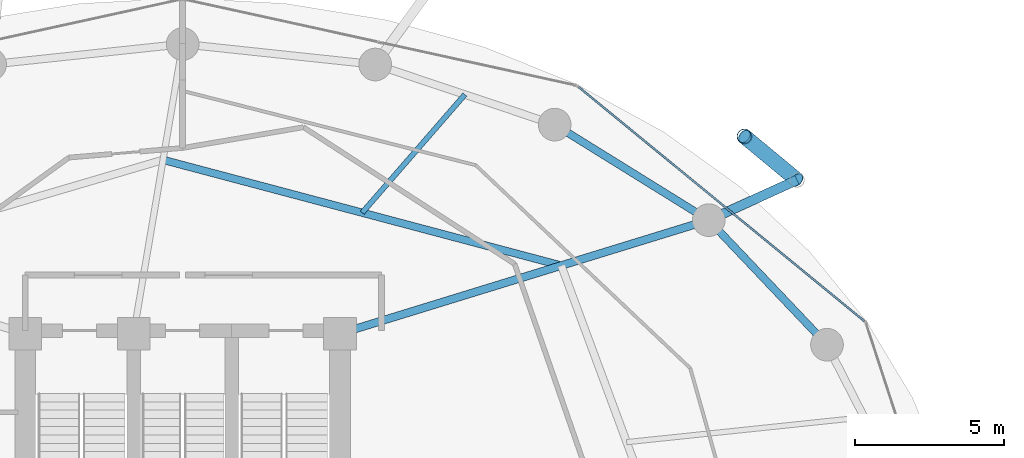
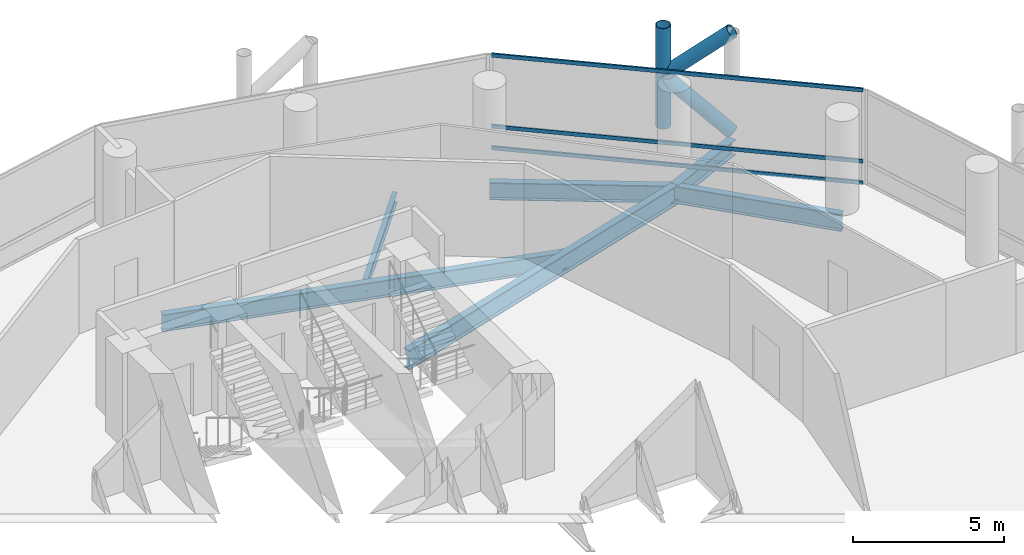
# One storey, part 17 of 24: 6 beams, 6 members, 1 element without a shape of its own.
"""IFC4 building model written with IfcOpenShell, lengths in metres."""

import ifcopenshell
import ifcopenshell.guid

model = None  # the IFC model being written
_history = None  # IfcOwnerHistory: only IFC2X3 demands one
_inside = {}  # id of a spatial element -> (the spatial element, [elements in it])
_under = {}  # id of a project, library or spatial element -> (it, [spatial elements below it])
_declared = {}  # id of a project -> (the project, [libraries it declares])
_typed = {}  # id of a type object -> (the type object, [elements of that type])
_made_of = {}  # id of a material, layer set ... -> (it, [elements and type objects made of it])


def new_model(schema):
    """Start an empty IFC model of exactly this schema.

    Asked for "IFC4X3", IfcOpenShell would pick the latest addendum, in which some entities
    have other attributes; the version numbers below select the first issue.
    IFC2X3 requires an IfcOwnerHistory on every rooted entity: one is made here for all.
    """
    global model, _history
    if schema == "IFC4X3":
        model = ifcopenshell.file(schema_version=(4, 3, 0, 0))
    else:
        model = ifcopenshell.file(schema=schema)
    _inside.clear()
    _under.clear()
    _declared.clear()
    _typed.clear()
    _made_of.clear()
    _history = None
    if model.schema == "IFC2X3":
        org = make("IfcOrganization", Name="unknown")
        user = make(
            "IfcPersonAndOrganization",
            ThePerson=make("IfcPerson", FamilyName="unknown"),
            TheOrganization=org,
        )
        app = make(
            "IfcApplication",
            ApplicationDeveloper=org,
            Version="unknown",
            ApplicationFullName="unknown",
            ApplicationIdentifier="unknown",
        )
        _history = make(
            "IfcOwnerHistory",
            OwningUser=user,
            OwningApplication=app,
            ChangeAction="ADDED",
            CreationDate=0,
        )
    return model


def make(cls, **values):
    """One entity of the class cls with the attributes given. An attribute that is None is left unset."""
    return model.create_entity(
        cls, **{name: value for name, value in values.items() if value is not None}
    )


def rooted(cls, **values):
    """An entity with a GlobalId (a new one), such as an element, a storey or a relation."""
    return make(cls, GlobalId=ifcopenshell.guid.new(), OwnerHistory=_history, **values)


def si_unit(unit_type, name, prefix=None):
    """IfcSIUnit, for example si_unit("LENGTHUNIT", "METRE", prefix="MILLI")."""
    return make("IfcSIUnit", UnitType=unit_type, Prefix=prefix, Name=name)


def assignment(units):
    """IfcUnitAssignment: the units of a project."""
    return None if units is None else make("IfcUnitAssignment", Units=units)


def point(xyz):
    """IfcCartesianPoint."""
    return None if xyz is None else make("IfcCartesianPoint", Coordinates=xyz)


def direction(xyz):
    """IfcDirection."""
    return None if xyz is None else make("IfcDirection", DirectionRatios=xyz)


def frame(location, z_axis=None, x_axis=None):
    """IfcAxis2Placement3D, a coordinate frame: its origin and axes. An axis left out is left unset."""
    return make(
        "IfcAxis2Placement3D",
        Location=point(location),
        Axis=direction(z_axis),
        RefDirection=direction(x_axis),
    )


def frame_2d(location, x_axis=None):
    """IfcAxis2Placement2D, a coordinate frame in the plane: its origin and x axis."""
    return make(
        "IfcAxis2Placement2D", Location=point(location), RefDirection=direction(x_axis)
    )


def origin():
    """The frame at (0, 0, 0) with its axes left unset."""
    return frame((0.0, 0.0, 0.0))


def origin_2d():
    """The frame at (0, 0) in the plane with its x axis left unset."""
    return frame_2d((0.0, 0.0))


def place(relative_to, where):
    """IfcLocalPlacement: puts the frame where relative to a parent placement (None: the world)."""
    return make(
        "IfcLocalPlacement", PlacementRelTo=relative_to, RelativePlacement=where
    )


def context(
    kind, dimensions, precision=None, world=None, true_north=None, identifier=None
):
    """IfcGeometricRepresentationContext, for example the 3D "Model" context."""
    return make(
        "IfcGeometricRepresentationContext",
        ContextIdentifier=identifier,
        ContextType=kind,
        CoordinateSpaceDimension=dimensions,
        Precision=precision,
        WorldCoordinateSystem=world,
        TrueNorth=true_north,
    )


def subcontext(parent, identifier, kind, view, scale=None):
    """IfcGeometricRepresentationSubContext, for example "Body" below "Model"."""
    return make(
        "IfcGeometricRepresentationSubContext",
        ContextIdentifier=identifier,
        ContextType=kind,
        ParentContext=parent,
        TargetScale=scale,
        TargetView=view,
    )


def project(units=None, contexts=None):
    """IfcProject with its units and contexts."""
    return rooted(
        "IfcProject",
        Name="project",
        RepresentationContexts=contexts,
        UnitsInContext=assignment(units),
    )


def spatial(cls, under=None, at=None, **own):
    """A site, building, storey or space (cls), placed at a placement, below another one or the project."""
    s = rooted(cls, ObjectPlacement=at, **own)
    if under is not None:
        _under.setdefault(under.id(), (under, []))[1].append(s)
    return s


def profile(cls, at=None, kind="AREA", **sizes):
    """A parametric profile (cls). Its sizes go by their IFC names, for example OverallWidth=200.0."""
    return make(cls, ProfileType=kind, Position=at, **sizes)


def hollow_rectangle(**sizes):
    """IfcRectangleHollowProfileDef."""
    return profile("IfcRectangleHollowProfileDef", **sizes)


def hollow_circle(**sizes):
    """IfcCircleHollowProfileDef."""
    return profile("IfcCircleHollowProfileDef", **sizes)


def i_section(**sizes):
    """IfcIShapeProfileDef."""
    return profile("IfcIShapeProfileDef", **sizes)


def extrude(swept, where, along, depth):
    """IfcExtrudedAreaSolid: the profile swept, set in the frame where, extruded along a direction by depth."""
    return make(
        "IfcExtrudedAreaSolid",
        SweptArea=swept,
        Position=where,
        ExtrudedDirection=direction(along),
        Depth=depth,
    )


def shape(context_of_items, identifier, shape_type, items):
    """IfcShapeRepresentation: the items that make up one representation, for example the "Body"."""
    return make(
        "IfcShapeRepresentation",
        ContextOfItems=context_of_items,
        RepresentationIdentifier=identifier,
        RepresentationType=shape_type,
        Items=items,
    )


def material(Name=None, Category=None):
    """IfcMaterial."""
    return make("IfcMaterial", Name=Name, Category=Category)


def layer(
    of_material, thickness, ventilated=None, Name=None, Category=None, Priority=None
):
    """IfcMaterialLayer: one layer of a wall or slab, of a material (None: an air gap)."""
    return make(
        "IfcMaterialLayer",
        Material=of_material,
        LayerThickness=thickness,
        IsVentilated=ventilated,
        Name=Name,
        Category=Category,
        Priority=Priority,
    )


def layer_set(layers, Name=None):
    """IfcMaterialLayerSet."""
    return make("IfcMaterialLayerSet", MaterialLayers=layers, LayerSetName=Name)


def material_profile(
    of_material, cross_section, Name=None, Category=None, Priority=None
):
    """IfcMaterialProfile: a cross section and its material."""
    return make(
        "IfcMaterialProfile",
        Name=Name,
        Material=of_material,
        Profile=cross_section,
        Priority=Priority,
        Category=Category,
    )


def profile_set(profiles, Name=None, composite=None):
    """IfcMaterialProfileSet."""
    return make(
        "IfcMaterialProfileSet",
        Name=Name,
        MaterialProfiles=profiles,
        CompositeProfile=composite,
    )


def made_of(thing, what):
    """Note that an element or type object is made of a material, layer set ...; save() writes the relation."""
    if what is not None:
        _made_of.setdefault(what.id(), (what, []))[1].append(thing)
    return thing


def type_object(cls, material=None, **own):
    """A type object (cls), such as IfcWallType, which elements share."""
    return made_of(rooted(cls, **own), material)


def element(
    cls,
    number,
    at=None,
    inside=None,
    cuts=None,
    type_object=None,
    material=None,
    context=None,
    identifier="Body",
    shape_type=None,
    held_by="IfcProductDefinitionShape",
    body=None,
    shapes=None,
    **own,
):
    """One element of the class cls, such as IfcWall. Its Tag is "e" and its number.

    at: its placement. inside: the storey or other place that contains it. cuts: it is an
    opening in that element (IfcRelVoidsElement). A single representation is given by context,
    identifier, shape_type and body (its items); several are given by shapes. held_by: the class
    of the entity that holds the representations. save() writes the other relations.
    """
    e = rooted(cls, Tag="e%d" % number, ObjectPlacement=at, **own)
    if body is not None:
        shapes = [shape(context, identifier, shape_type, body)]
    if shapes is not None:
        e.Representation = make(held_by, Representations=shapes)
    if inside is not None:
        _inside.setdefault(inside.id(), (inside, []))[1].append(e)
    if cuts is not None:
        rooted(
            "IfcRelVoidsElement", RelatingBuildingElement=cuts, RelatedOpeningElement=e
        )
    if type_object is not None:
        _typed.setdefault(type_object.id(), (type_object, []))[1].append(e)
    return made_of(e, material)


def aggregate(whole, parts):
    """IfcRelAggregates: a whole, such as a stair, and the parts it consists of."""
    return rooted("IfcRelAggregates", RelatingObject=whole, RelatedObjects=parts)


def save(model, path):
    """Write the relations noted so far, then the file.

    IfcRelAggregates (storeys below a building ...), IfcRelContainedInSpatialStructure (elements
    in a storey), IfcRelDefinesByType, IfcRelAssociatesMaterial and IfcRelDeclares: one each for
    every whole, place, type object, material and project.
    """
    for whole, parts in _under.values():
        aggregate(whole, parts)
    for where, things in _inside.values():
        rooted(
            "IfcRelContainedInSpatialStructure",
            RelatedElements=things,
            RelatingStructure=where,
        )
    for kind, things in _typed.values():
        rooted("IfcRelDefinesByType", RelatedObjects=things, RelatingType=kind)
    for what, things in _made_of.values():
        rooted("IfcRelAssociatesMaterial", RelatedObjects=things, RelatingMaterial=what)
    for by, libraries in _declared.values():
        rooted("IfcRelDeclares", RelatingContext=by, RelatedDefinitions=libraries)
    model.write(path)


model = new_model("IFC4")

# Units and contexts
model_context = context("Model", 3, precision=1e-05, world=origin(), true_north=direction((0.0, 1.0)))
body_context = subcontext(model_context, "Body", "Model", "MODEL_VIEW")
ifc_project = project(units=[si_unit("LENGTHUNIT", "METRE"), si_unit("AREAUNIT", "SQUARE_METRE"), si_unit("VOLUMEUNIT", "CUBIC_METRE"), si_unit("PLANEANGLEUNIT", "RADIAN"), si_unit("MASSUNIT", "GRAM", prefix="KILO")], contexts=[model_context])

# Site, building, storey
site_placement = place(None, origin())
site = spatial("IfcSite", under=ifc_project, at=site_placement, CompositionType="ELEMENT")
building_placement = place(site_placement, origin())
building = spatial("IfcBuilding", under=site, at=building_placement, Name="Nuhasar Tower", CompositionType="ELEMENT")
storey_placement = place(building_placement, frame((0.0, 0.0, 73.64990234375)))
storey = spatial("IfcBuildingStorey", under=building, at=storey_placement, Name="L17", CompositionType="ELEMENT", Elevation=73.64990234375)

# Beams
ifc_material_1 = material(Name="Steel S355", Category="steel")
ifc_material_profile_1 = material_profile(ifc_material_1, i_section(OverallWidth=0.25390625, OverallDepth=0.68408203125, WebThickness=0.012451171875, FlangeThickness=0.018798828125, at=origin_2d()), Name="W27X94")
ifc_profile_set_1 = profile_set([ifc_material_profile_1], Name="Steel S355")
beam_type_1 = type_object("IfcBeamType", Name="BM-INRING-W27X94", PredefinedType="BEAM", material=ifc_profile_set_1)
beam_1_placement = place(storey_placement, frame((51.748046875, 39.591064453125, -0.591796875), z_axis=(-0.96653253005, 0.256544086574, 0.0), x_axis=(-0.256544086574, -0.96653253005, 0.0)))
element("IfcBeam", 1, at=beam_1_placement, inside=storey, type_object=beam_type_1, Name="L17 Inner Header Beam 05", PredefinedType="BEAM", context=body_context, shape_type="SweptSolid", body=[
    extrude(i_section(OverallWidth=0.25390625, OverallDepth=0.68408203125, WebThickness=0.012451171875, FlangeThickness=0.018798828125, at=origin_2d()), origin(), (0.0, 0.0, 1.0), 13.872314453125),
])
ifc_material_profile_2 = material_profile(ifc_material_1, i_section(OverallWidth=0.177978515625, OverallDepth=0.406005859375, WebThickness=0.0078125, FlangeThickness=0.0126953125, at=origin_2d()), Name="W16X40")
ifc_profile_set_2 = profile_set([ifc_material_profile_2], Name="Steel S355")
beam_type_2 = type_object("IfcBeamType", Name="BM-JST-W16X40", PredefinedType="JOIST", material=ifc_profile_set_2)
beam_2_placement = place(storey_placement, frame((45.0439453125, 41.3701171875, -0.452880859375), z_axis=(0.656174129694, 0.754609509296, 0.0), x_axis=(-0.754609509296, 0.656174129694, 0.0)))
element("IfcBeam", 2, at=beam_2_placement, inside=storey, type_object=beam_type_2, Name="L17 Secondary Floor Joist 05", PredefinedType="JOIST", context=body_context, shape_type="SweptSolid", body=[
    extrude(i_section(OverallWidth=0.177978515625, OverallDepth=0.406005859375, WebThickness=0.0078125, FlangeThickness=0.0126953125, at=origin_2d()), origin(), (0.0, 0.0, 1.0), 5.27294921875),
])
ifc_material_profile_3 = material_profile(ifc_material_1, i_section(OverallWidth=0.26611328125, OverallDepth=0.779052734375, WebThickness=0.0166015625, FlangeThickness=0.030029296875, at=origin_2d()), Name="W30X148")
ifc_profile_set_3 = profile_set([ifc_material_profile_3], Name="Steel S355")
beam_type_3 = type_object("IfcBeamType", Name="BM-RAD-W30X148", PredefinedType="BEAM", material=ifc_profile_set_3)
beam_3_placement = place(storey_placement, frame((44.300048828125, 37.300048828125, -0.638916015625), z_axis=(0.955789576103, 0.294051502653, 0.0), x_axis=(-0.294051502653, 0.955789576103, 0.0)))
element("IfcBeam", 3, at=beam_3_placement, inside=storey, type_object=beam_type_3, Name="L17 Radial Floor Girder 05", PredefinedType="BEAM", context=body_context, shape_type="SweptSolid", body=[
    extrude(i_section(OverallWidth=0.26611328125, OverallDepth=0.779052734375, WebThickness=0.0166015625, FlangeThickness=0.030029296875, at=origin_2d()), origin(), (0.0, 0.0, 1.0), 12.987060546875),
])
ifc_material_profile_4 = material_profile(ifc_material_1, i_section(OverallWidth=0.256103515625, OverallDepth=0.693115234375, WebThickness=0.014404296875, FlangeThickness=0.023681640625, at=origin_2d()), Name="W27X114")
ifc_profile_set_4 = profile_set([ifc_material_profile_4], Name="Steel S355")
beam_type_4 = type_object("IfcBeamType", Name="BM-RING-W27X114", PredefinedType="SPANDREL", material=ifc_profile_set_4)
beam_4_placement = place(storey_placement, frame((60.694091796875, 36.925048828125, -0.596923828125), z_axis=(-0.688480893507, 0.725254478976, 0.0), x_axis=(-0.725254478976, -0.688480893507, 0.0)))
element("IfcBeam", 4, at=beam_4_placement, inside=storey, type_object=beam_type_4, Name="L17 Perimeter Ring Spandrel 03", PredefinedType="SPANDREL", context=body_context, shape_type="SweptSolid", body=[
    extrude(i_section(OverallWidth=0.256103515625, OverallDepth=0.693115234375, WebThickness=0.014404296875, FlangeThickness=0.023681640625, at=origin_2d()), origin(), (0.0, 0.0, 1.0), 5.782470703125),
])
beam_5_placement = place(storey_placement, frame((56.712890625, 41.118896484375, -0.596923828125), z_axis=(-0.849795216549, 0.527112976439, 0.0), x_axis=(-0.527112976439, -0.849795216549, 0.0)))
element("IfcBeam", 5, at=beam_5_placement, inside=storey, type_object=beam_type_4, Name="L17 Perimeter Ring Spandrel 04", PredefinedType="SPANDREL", context=body_context, shape_type="SweptSolid", body=[
    extrude(i_section(OverallWidth=0.256103515625, OverallDepth=0.693115234375, WebThickness=0.014404296875, FlangeThickness=0.023681640625, at=origin_2d()), origin(), (0.0, 0.0, 1.0), 6.10498046875),
])
ifc_material_profile_5 = material_profile(ifc_material_1, i_section(OverallWidth=0.323974609375, OverallDepth=0.611083984375, WebThickness=0.0126953125, FlangeThickness=0.01904296875, at=origin_2d()), Name="W24X104")
ifc_profile_set_5 = profile_set([ifc_material_profile_5], Name="Steel S355")
beam_type_5 = type_object("IfcBeamType", Name="BM-TIE-W24X104", PredefinedType="BEAM", material=ifc_profile_set_5)
beam_6_placement = place(storey_placement, frame((56.712890625, 41.118896484375, -0.554931640625), z_axis=(0.910243528587, 0.414073325227, 0.0), x_axis=(-0.414073325227, 0.910243528587, 0.0)))
element("IfcBeam", 6, at=beam_6_placement, inside=storey, type_object=beam_type_5, Name="L17 Exoskeleton Node Tie Beam 02", PredefinedType="BEAM", context=body_context, shape_type="SweptSolid", body=[
    extrude(i_section(OverallWidth=0.323974609375, OverallDepth=0.611083984375, WebThickness=0.0126953125, FlangeThickness=0.01904296875, at=origin_2d()), origin(), (0.0, 0.0, 1.0), 3.26513671875),
])

# Curtain wall, members
ifc_material_2 = material(Name="Aluminium 6063-T6", Category="aluminium")
ifc_layer = layer(ifc_material_2, 0.199951171875)
ifc_layer_set = layer_set([ifc_layer], Name="Aluminium 6063-T6")
curtain_wall_type = type_object("IfcCurtainWallType", Name="CW-Z1-OFF", PredefinedType="NOTDEFINED", material=ifc_layer_set)
curtain_wall_placement = place(storey_placement, origin())
curtain_wall = element("IfcCurtainWall", 7, at=curtain_wall_placement, inside=storey, type_object=curtain_wall_type, Name="L17 Unitised Curtain Wall 02", PredefinedType="NOTDEFINED")
ifc_material_profile_6 = material_profile(ifc_material_2, hollow_rectangle(XDim=0.06494140625, YDim=0.14990234375, WallThickness=0.00439453125, at=origin_2d()), Name="CWT-2")
ifc_profile_set_6 = profile_set([ifc_material_profile_6], Name="Aluminium 6063-T6")
member_type_1 = type_object("IfcMemberType", Name="CW-TRN-S2", PredefinedType="USERDEFINED", material=ifc_profile_set_6)
member_1_placement = place(storey_placement, frame((61.95166015625, 37.72119140625, 0.03271484375), z_axis=(-0.773540851599, 0.633746440548, 0.0), x_axis=(-0.633746440548, -0.773540851599, 0.0)))
member_1 = element("IfcMember", 8, at=member_1_placement, type_object=member_type_1, Name="CW-Z1 transom 1.1", ObjectType="TRANSOM", PredefinedType="USERDEFINED", context=body_context, shape_type="SweptSolid", body=[
    extrude(hollow_rectangle(XDim=0.06494140625, YDim=0.14990234375, WallThickness=0.00439453125, at=origin_2d()), origin(), (0.0, 0.0, 1.0), 12.43798828125),
])
member_2_placement = place(storey_placement, frame((61.95166015625, 37.72119140625, 0.900146484375), z_axis=(-0.773540851599, 0.633746440548, 0.0), x_axis=(-0.633746440548, -0.773540851599, 0.0)))
member_2 = element("IfcMember", 9, at=member_2_placement, type_object=member_type_1, Name="CW-Z1 transom 1.2", ObjectType="TRANSOM", PredefinedType="USERDEFINED", context=body_context, shape_type="SweptSolid", body=[
    extrude(hollow_rectangle(XDim=0.06494140625, YDim=0.14990234375, WallThickness=0.00439453125, at=origin_2d()), origin(), (0.0, 0.0, 1.0), 12.43798828125),
])
member_3_placement = place(storey_placement, frame((61.95166015625, 37.72119140625, 3.767578125), z_axis=(-0.773540851599, 0.633746440548, 0.0), x_axis=(-0.633746440548, -0.773540851599, 0.0)))
member_3 = element("IfcMember", 10, at=member_3_placement, type_object=member_type_1, Name="CW-Z1 transom 1.3", ObjectType="TRANSOM", PredefinedType="USERDEFINED", context=body_context, shape_type="SweptSolid", body=[
    extrude(hollow_rectangle(XDim=0.06494140625, YDim=0.14990234375, WallThickness=0.00439453125, at=origin_2d()), origin(), (0.0, 0.0, 1.0), 12.43798828125),
])
aggregate(curtain_wall, [member_1, member_2, member_3])

# Members
ifc_material_3 = material(Name="Steel S460", Category="steel")
ifc_material_profile_7 = material_profile(ifc_material_3, hollow_circle(Radius=0.25390625, WallThickness=0.025390625, at=origin_2d()), Name="HSS508X25.4")
ifc_profile_set_7 = profile_set([ifc_material_profile_7], Name="Steel S460")
member_type_2 = type_object("IfcMemberType", Name="EXO-BRONZE-508", PredefinedType="BRACE", material=ifc_profile_set_7)
member_4_placement = place(storey_placement, frame((57.9130859375, 43.93896484375, 0.0), z_axis=(0.0, 0.0, 1.0), x_axis=(1.0, 0.0, 0.0)))
element("IfcMember", 11, at=member_4_placement, inside=storey, type_object=member_type_2, Name="L17 Exoskeleton Chord Column EC-02B", PredefinedType="BRACE", context=body_context, shape_type="SweptSolid", body=[
    extrude(hollow_circle(Radius=0.25390625, WallThickness=0.025390625, at=origin_2d()), origin(), (0.0, 0.0, 1.0), 4.050048828125),
])
member_5_placement = place(storey_placement, frame((59.68505859375, 42.470947265625, 0.0), z_axis=(-0.578071194894, 0.478911834514, 0.660664172175), x_axis=(-0.637969333506, -0.770061769929, 0.0)))
element("IfcMember", 12, at=member_5_placement, inside=storey, type_object=member_type_2, Name="L17 Bronze Diagrid Brace W1-02", PredefinedType="BRACE", context=body_context, shape_type="SweptSolid", body=[
    extrude(hollow_circle(Radius=0.25390625, WallThickness=0.025390625, at=origin_2d()), origin(), (0.0, 0.0, 1.0), 3.0654296875),
])
member_6_placement = place(storey_placement, frame((57.9130859375, 43.93896484375, 2.025146484375), z_axis=(0.578101613167, -0.478937034992, 0.660619286251), x_axis=(0.637969333506, 0.770061769929, 0.0)))
element("IfcMember", 13, at=member_6_placement, inside=storey, type_object=member_type_2, Name="L17 Bronze Diagrid Brace W2-02", PredefinedType="BRACE", context=body_context, shape_type="SweptSolid", body=[
    extrude(hollow_circle(Radius=0.25390625, WallThickness=0.025390625, at=origin_2d()), origin(), (0.0, 0.0, 1.0), 3.065185546875),
])

save(model, "model.ifc")
